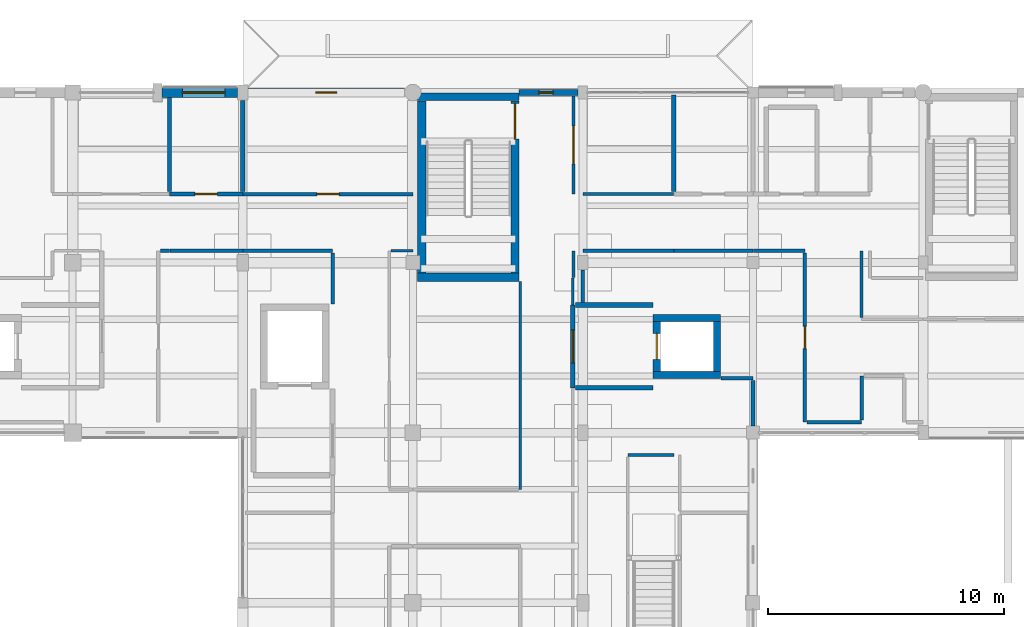
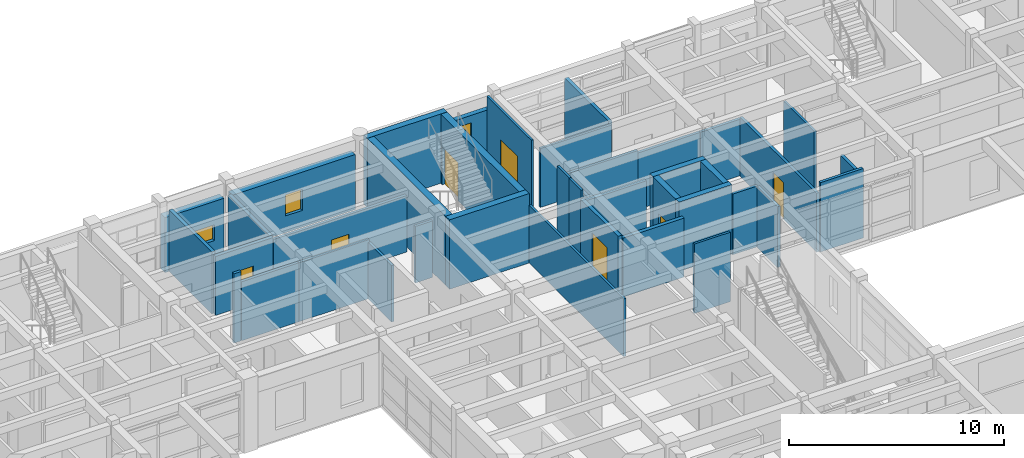
# One storey, part 88 of 110: 40 walls, 7 doors, 3 windows, 10 openings.
"""IFC4 building model written with IfcOpenShell, lengths in metres."""

from ifc_helpers import new_model, si_unit, direction, frame, frame_2d, origin, place, context, subcontext, project, spatial, rectangle, extrude, material, layer, layer_set, type_object, element, fill, save


model = new_model("IFC4")

# Units and contexts
model_context = context("Model", 3, precision=1e-05, world=origin(), true_north=direction((0.0, 1.0)))
body_context = subcontext(model_context, "Body", "Model", "MODEL_VIEW")
ifc_project = project(units=[si_unit("LENGTHUNIT", "METRE"), si_unit("AREAUNIT", "SQUARE_METRE"), si_unit("VOLUMEUNIT", "CUBIC_METRE"), si_unit("PLANEANGLEUNIT", "RADIAN"), si_unit("MASSUNIT", "GRAM", prefix="KILO")], contexts=[model_context])

# Site, building, storey
site_placement = place(None, origin())
site = spatial("IfcSite", under=ifc_project, at=site_placement, CompositionType="ELEMENT")
building_placement = place(site_placement, origin())
building = spatial("IfcBuilding", under=site, at=building_placement, Name="Steenspoor Specialist Clinic", CompositionType="ELEMENT")
storey_placement = place(building_placement, frame((0.0, 0.0, 4.800048828125)))
storey = spatial("IfcBuildingStorey", under=building, at=storey_placement, Name="L01", CompositionType="ELEMENT", Elevation=4.800048828125)

# Wall, opening, window
ifc_material_1 = material(Name="Extruded clay brick masonry", Category="masonry")
ifc_layer_1 = layer(ifc_material_1, 0.3798828125)
ifc_layer_set_1 = layer_set([ifc_layer_1], Name="Extruded clay brick masonry")
wall_type_1 = type_object("IfcWallType", Name="W-BRICK-380", PredefinedType="USERDEFINED", material=ifc_layer_set_1)
wall_1_placement = place(storey_placement, frame((74.22509765625, 108.35009765625, 0.0), z_axis=(0.0, 0.0, 1.0), x_axis=(1.0, 0.0, 0.0)))
wall_1 = element("IfcWall", 1, at=wall_1_placement, inside=storey, type_object=wall_type_1, Name="Exterior Brick Wall EW-V4-L01-0121", ObjectType="CAVITY VENEER", PredefinedType="USERDEFINED", context=body_context, shape_type="SweptSolid", body=[
    extrude(rectangle(XDim=6.625, YDim=0.3798828125, at=frame_2d((3.3125, 0.0))), origin(), (0.0, 0.0, 1.0), 3.1298828125),
])
opening_1_placement = place(wall_1_placement, frame((2.862548828125, 0.0, 0.949951171875)))
opening_1 = element("IfcOpeningElement", 2, at=opening_1_placement, cuts=wall_1, Name="Opening WN-21", PredefinedType="OPENING", context=body_context, shape_type="SweptSolid", body=[
    extrude(rectangle(XDim=0.89990234375, YDim=1.199951171875, at=frame_2d((0.449951171875, 0.60009765625))), frame((0.0, 0.199951171875, 0.0), z_axis=(0.0, -1.0, 0.0), x_axis=(1.0, 0.0, 0.0)), (0.0, 0.0, 1.0), 0.39990234375),
])
ifc_material_2 = material(Name="Thermally broken aluminium and low-emissivity glass", Category="aluminium")
window_type_1 = type_object("IfcWindowType", Name="WN-EXT-090X120", PartitioningType="SINGLE_PANEL", PredefinedType="WINDOW", material=ifc_material_2)
window_1_placement = place(opening_1_placement, origin())
window_1 = element("IfcWindow", 3, at=window_1_placement, inside=storey, type_object=window_type_1, Name="Window 0143", OverallHeight=1.199951171875, OverallWidth=0.89990234375, PartitioningType="SINGLE_PANEL", PredefinedType="WINDOW", context=body_context, shape_type="SweptSolid", body=[
    extrude(rectangle(XDim=0.89990234375, YDim=1.199951171875, at=frame_2d((0.449951171875, 0.60009765625))), frame((0.0, 0.030029296875, 0.0), z_axis=(0.0, -1.0, 0.0), x_axis=(1.0, 0.0, 0.0)), (0.0, 0.0, 1.0), 0.06005859375),
])
fill(opening_1, window_1)

ifc_layer_2 = layer(ifc_material_1, 0.409912109375)
ifc_layer_set_2 = layer_set([ifc_layer_2], Name="Extruded clay brick masonry")
wall_type_2 = type_object("IfcWallType", Name="W-BRICK-410", PredefinedType="USERDEFINED", material=ifc_layer_set_2)
wall_2_placement = place(storey_placement, frame((70.590087890625, 108.35009765625, 0.0), z_axis=(0.0, 0.0, 1.0), x_axis=(1.0, 0.0, 0.0)))
wall_2 = element("IfcWall", 4, at=wall_2_placement, inside=storey, type_object=wall_type_2, Name="Exterior Brick Wall EW-V4-L01-0120", ObjectType="CAVITY VENEER", PredefinedType="USERDEFINED", context=body_context, shape_type="SweptSolid", body=[
    extrude(rectangle(XDim=3.184814453125, YDim=0.409912109375, at=frame_2d((1.59228515625, 0.0))), origin(), (0.0, 0.0, 1.0), 3.1298828125),
])
opening_2_placement = place(wall_2_placement, frame((0.857421875, 0.0, 0.89990234375)))
opening_2 = element("IfcOpeningElement", 5, at=opening_2_placement, cuts=wall_2, Name="Opening WN-22", PredefinedType="OPENING", context=body_context, shape_type="SweptSolid", body=[
    extrude(rectangle(XDim=1.800048828125, YDim=0.89990234375, at=frame_2d((0.89990234375, 0.449951171875))), frame((0.0, 0.21484375, 0.0), z_axis=(0.0, -1.0, 0.0), x_axis=(1.0, 0.0, 0.0)), (0.0, 0.0, 1.0), 0.429931640625),
])
window_type_2 = type_object("IfcWindowType", Name="WN-EXT-180X090", PartitioningType="SINGLE_PANEL", PredefinedType="WINDOW", material=ifc_material_2)
window_2_placement = place(opening_2_placement, origin())
window_2 = element("IfcWindow", 6, at=window_2_placement, inside=storey, type_object=window_type_2, Name="Window 0142", OverallHeight=0.89990234375, OverallWidth=1.800048828125, PartitioningType="SINGLE_PANEL", PredefinedType="WINDOW", context=body_context, shape_type="SweptSolid", body=[
    extrude(rectangle(XDim=1.800048828125, YDim=0.89990234375, at=frame_2d((0.89990234375, 0.449951171875))), frame((0.0, 0.030029296875, 0.0), z_axis=(0.0, -1.0, 0.0), x_axis=(1.0, 0.0, 0.0)), (0.0, 0.0, 1.0), 0.06005859375),
])
fill(opening_2, window_2)

# Walls
ifc_material_3 = material(Name="Gypsum acoustic clinical partition", Category="gypsum")
ifc_layer_3 = layer(ifc_material_3, 0.14990234375)
ifc_layer_set_3 = layer_set([ifc_layer_3], Name="Gypsum acoustic clinical partition")
wall_type_3 = type_object("IfcWallType", Name="W-CLIN-150", PredefinedType="PARTITIONING", material=ifc_layer_set_3)
wall_3_placement = place(storey_placement, frame((70.52001953125, 101.64990234375, 0.0), z_axis=(0.0, 0.0, 1.0), x_axis=(1.0, 0.0, 0.0)))
element("IfcWall", 7, at=wall_3_placement, inside=storey, type_object=wall_type_3, Name="Interior Partition IW-V4-L01-0906", PredefinedType="PARTITIONING", context=body_context, shape_type="SweptSolid", body=[
    extrude(rectangle(XDim=0.3798828125, YDim=0.14990234375, at=frame_2d((0.18994140625, 0.0))), origin(), (0.0, 0.0, 1.0), 3.949951171875),
])
wall_4_placement = place(storey_placement, frame((70.9150390625, 101.64990234375, 0.0), z_axis=(0.0, 0.0, 1.0), x_axis=(1.0, 0.0, 0.0)))
element("IfcWall", 8, at=wall_4_placement, inside=storey, type_object=wall_type_3, Name="Interior Partition IW-V4-L01-0907", PredefinedType="PARTITIONING", context=body_context, shape_type="SweptSolid", body=[
    extrude(rectangle(XDim=3.0849609375, YDim=0.14990234375, at=frame_2d((1.54248046875, 0.0))), origin(), (0.0, 0.0, 1.0), 3.35498046875),
])
wall_5_placement = place(storey_placement, frame((74.014892578125, 101.64990234375, 0.0), z_axis=(0.0, 0.0, 1.0), x_axis=(1.0, 0.0, 0.0)))
element("IfcWall", 9, at=wall_5_placement, inside=storey, type_object=wall_type_3, Name="Interior Partition IW-V4-L01-0908", PredefinedType="PARTITIONING", context=body_context, shape_type="SweptSolid", body=[
    extrude(rectangle(XDim=3.78515625, YDim=0.14990234375, at=frame_2d((1.892578125, 0.0))), origin(), (0.0, 0.0, 1.0), 3.35498046875),
])
wall_6_placement = place(storey_placement, frame((77.800048828125, 99.39990234375, 0.0), z_axis=(0.0, 0.0, 1.0), x_axis=(0.0, 1.0, 0.0)))
element("IfcWall", 10, at=wall_6_placement, inside=storey, type_object=wall_type_3, Name="Interior Partition IW-V4-L01-0909", PredefinedType="PARTITIONING", context=body_context, shape_type="SweptSolid", body=[
    extrude(rectangle(XDim=2.16015625, YDim=0.14990234375, at=frame_2d((1.080078125, 0.0))), origin(), (0.0, 0.0, 1.0), 3.21484375),
])
wall_7_placement = place(storey_placement, frame((88.39990234375, 101.64990234375, 0.0), z_axis=(0.0, 0.0, 1.0), x_axis=(1.0, 0.0, 0.0)))
element("IfcWall", 11, at=wall_7_placement, inside=storey, type_object=wall_type_3, Name="Interior Partition IW-V4-L01-0911", PredefinedType="PARTITIONING", context=body_context, shape_type="SweptSolid", body=[
    extrude(rectangle(XDim=3.85009765625, YDim=0.14990234375, at=frame_2d((1.925048828125, 0.0))), origin(), (0.0, 0.0, 1.0), 3.35498046875),
])
wall_8_placement = place(storey_placement, frame((92.264892578125, 101.64990234375, 0.0), z_axis=(0.0, 0.0, 1.0), x_axis=(1.0, 0.0, 0.0)))
element("IfcWall", 12, at=wall_8_placement, inside=storey, type_object=wall_type_3, Name="Interior Partition IW-V4-L01-0912", PredefinedType="PARTITIONING", context=body_context, shape_type="SweptSolid", body=[
    extrude(rectangle(XDim=3.335205078125, YDim=0.14990234375, at=frame_2d((1.66748046875, 0.0))), origin(), (0.0, 0.0, 1.0), 3.21484375),
])
wall_9_placement = place(storey_placement, frame((95.614990234375, 101.64990234375, 0.0), z_axis=(0.0, 0.0, 1.0), x_axis=(1.0, 0.0, 0.0)))
element("IfcWall", 13, at=wall_9_placement, inside=storey, type_object=wall_type_3, Name="Interior Partition IW-V4-L01-0913", PredefinedType="PARTITIONING", context=body_context, shape_type="SweptSolid", body=[
    extrude(rectangle(XDim=2.18505859375, YDim=0.14990234375, at=frame_2d((1.092529296875, 0.0))), origin(), (0.0, 0.0, 1.0), 3.21484375),
])

# Wall, opening, door
wall_10_placement = place(storey_placement, frame((97.800048828125, 94.39990234375, 0.0), z_axis=(0.0, 0.0, 1.0), x_axis=(0.0, 1.0, 0.0)))
wall_10 = element("IfcWall", 14, at=wall_10_placement, inside=storey, type_object=wall_type_3, Name="Interior Partition IW-V4-L01-0914", PredefinedType="PARTITIONING", context=body_context, shape_type="SweptSolid", body=[
    extrude(rectangle(XDim=7.16015625, YDim=0.14990234375, at=frame_2d((3.580078125, 0.0))), origin(), (0.0, 0.0, 1.0), 3.35498046875),
])
opening_3_placement = place(wall_10_placement, frame((3.10498046875, 0.0, 0.0)))
opening_3 = element("IfcOpeningElement", 15, at=opening_3_placement, cuts=wall_10, Name="Opening D0216", PredefinedType="OPENING", context=body_context, shape_type="SweptSolid", body=[
    extrude(rectangle(XDim=0.949951171875, YDim=2.10009765625, at=frame_2d((0.47509765625, 1.050048828125))), frame((0.0, 0.0849609375, 0.0), z_axis=(0.0, -1.0, 0.0), x_axis=(1.0, 0.0, 0.0)), (0.0, 0.0, 1.0), 0.169921875),
])
ifc_material_4 = material(Name="Moisture-resistant HPL sanitary door", Category="wood")
door_type_1 = type_object("IfcDoorType", Name="DT-WC-095X210", OperationType="NOTDEFINED", PredefinedType="DOOR", material=ifc_material_4)
door_1_placement = place(opening_3_placement, origin())
door_1 = element("IfcDoor", 16, at=door_1_placement, inside=storey, type_object=door_type_1, Name="Clinical Door D0216", OperationType="SINGLE_SWING_LEFT", OverallHeight=2.10009765625, OverallWidth=0.949951171875, PredefinedType="DOOR", context=body_context, shape_type="SweptSolid", body=[
    extrude(rectangle(XDim=0.949951171875, YDim=2.10009765625, at=frame_2d((0.47509765625, 1.050048828125))), frame((0.0, 0.02490234375, 0.0), z_axis=(0.0, -1.0, 0.0), x_axis=(1.0, 0.0, 0.0)), (0.0, 0.0, 1.0), 0.050048828125),
])
fill(opening_3, door_1)

# Walls
wall_11_placement = place(storey_placement, frame((97.889892578125, 94.39990234375, 0.0), z_axis=(0.0, 0.0, 1.0), x_axis=(1.0, 0.0, 0.0)))
element("IfcWall", 17, at=wall_11_placement, inside=storey, type_object=wall_type_3, Name="Interior Partition IW-V4-L01-0915", PredefinedType="PARTITIONING", context=body_context, shape_type="SweptSolid", body=[
    extrude(rectangle(XDim=2.31005859375, YDim=0.14990234375, at=frame_2d((1.155029296875, 0.0))), origin(), (0.0, 0.0, 1.0), 3.949951171875),
])
wall_12_placement = place(storey_placement, frame((100.199951171875, 94.489990234375, 0.0), z_axis=(0.0, 0.0, 1.0), x_axis=(0.0, 1.0, 0.0)))
element("IfcWall", 18, at=wall_12_placement, inside=storey, type_object=wall_type_3, Name="Interior Partition IW-V4-L01-0916", PredefinedType="PARTITIONING", context=body_context, shape_type="SweptSolid", body=[
    extrude(rectangle(XDim=1.860107421875, YDim=0.14990234375, at=frame_2d((0.93017578125, 0.0))), origin(), (0.0, 0.0, 1.0), 3.514892578125),
])

# Wall, opening, door
wall_13_placement = place(storey_placement, frame((74.014892578125, 104.050048828125, 0.0), z_axis=(0.0, 0.0, 1.0), x_axis=(1.0, 0.0, 0.0)))
wall_13 = element("IfcWall", 19, at=wall_13_placement, inside=storey, type_object=wall_type_3, Name="Interior Partition IW-V4-L01-0923", PredefinedType="PARTITIONING", context=body_context, shape_type="SweptSolid", body=[
    extrude(rectangle(XDim=7.18505859375, YDim=0.14990234375, at=frame_2d((3.592529296875, 0.0))), origin(), (0.0, 0.0, 1.0), 3.21484375),
])
opening_4_placement = place(wall_13_placement, frame((3.117431640625, 0.0, 0.0)))
opening_4 = element("IfcOpeningElement", 20, at=opening_4_placement, cuts=wall_13, Name="Opening D0222", PredefinedType="OPENING", context=body_context, shape_type="SweptSolid", body=[
    extrude(rectangle(XDim=0.949951171875, YDim=2.10009765625, at=frame_2d((0.47509765625, 1.050048828125))), frame((0.0, 0.0849609375, 0.0), z_axis=(0.0, -1.0, 0.0), x_axis=(1.0, 0.0, 0.0)), (0.0, 0.0, 1.0), 0.169921875),
])
door_2_placement = place(opening_4_placement, origin())
door_2 = element("IfcDoor", 21, at=door_2_placement, inside=storey, type_object=door_type_1, Name="Clinical Door D0222", OperationType="SINGLE_SWING_LEFT", OverallHeight=2.10009765625, OverallWidth=0.949951171875, PredefinedType="DOOR", context=body_context, shape_type="SweptSolid", body=[
    extrude(rectangle(XDim=0.949951171875, YDim=2.10009765625, at=frame_2d((0.47509765625, 1.050048828125))), frame((0.0, 0.02490234375, 0.0), z_axis=(0.0, -1.0, 0.0), x_axis=(1.0, 0.0, 0.0)), (0.0, 0.0, 1.0), 0.050048828125),
])
fill(opening_4, door_2)

# Walls
wall_14_placement = place(storey_placement, frame((88.39990234375, 99.465087890625, 0.0), z_axis=(0.0, 0.0, 1.0), x_axis=(0.0, 1.0, 0.0)))
element("IfcWall", 22, at=wall_14_placement, inside=storey, type_object=wall_type_3, Name="Interior Partition IW-V4-L01-1195", PredefinedType="PARTITIONING", context=body_context, shape_type="SweptSolid", body=[
    extrude(rectangle(XDim=1.369873046875, YDim=0.14990234375, at=frame_2d((0.68505859375, 0.0))), origin(), (0.0, 0.0, 1.0), 3.35498046875),
])
wall_15_placement = place(storey_placement, frame((94.239990234375, 96.25, 0.0), z_axis=(0.0, 0.0, 1.0), x_axis=(1.0, 0.0, 0.0)))
element("IfcWall", 23, at=wall_15_placement, inside=storey, type_object=wall_type_3, Name="Interior Partition IW-V4-L01-1196", PredefinedType="PARTITIONING", context=body_context, shape_type="SweptSolid", body=[
    extrude(rectangle(XDim=1.360107421875, YDim=0.14990234375, at=frame_2d((0.68017578125, 0.0))), origin(), (0.0, 0.0, 1.0), 3.454833984375),
])
wall_16_placement = place(storey_placement, frame((95.60009765625, 94.239990234375, 0.0), z_axis=(0.0, 0.0, 1.0), x_axis=(0.0, 1.0, 0.0)))
element("IfcWall", 24, at=wall_16_placement, inside=storey, type_object=wall_type_3, Name="Interior Partition IW-V4-L01-1197", PredefinedType="PARTITIONING", context=body_context, shape_type="SweptSolid", body=[
    extrude(rectangle(XDim=1.919921875, YDim=0.14990234375, at=frame_2d((0.9599609375, 0.0))), origin(), (0.0, 0.0, 1.0), 3.454833984375),
])
ifc_material_5 = material(Name="Concrete C40/50", Category="concrete")
ifc_layer_4 = layer(ifc_material_5, 0.330078125)
ifc_layer_set_4 = layer_set([ifc_layer_4], Name="Concrete C40/50")
wall_type_4 = type_object("IfcWallType", Name="W-ESW-330", PredefinedType="SHEAR", material=ifc_layer_set_4)
wall_17_placement = place(storey_placement, frame((81.39990234375, 108.175048828125, 0.0), z_axis=(0.0, 0.0, 1.0), x_axis=(1.0, 0.0, 0.0)))
element("IfcWall", 25, at=wall_17_placement, inside=storey, type_object=wall_type_4, Name="Core Shear Wall SW-ST-V4C-L01-N", PredefinedType="SHEAR", context=body_context, shape_type="SweptSolid", body=[
    extrude(rectangle(XDim=4.300048828125, YDim=0.330078125, at=frame_2d((2.14990234375, 0.0))), origin(), (0.0, 0.0, 1.0), 3.949951171875),
])
ifc_material_6 = material(Name="Gypsum studio partition board", Category="gypsum")
ifc_layer_5 = layer(ifc_material_6, 0.1201171875)
ifc_layer_set_5 = layer_set([ifc_layer_5], Name="Gypsum studio partition board")
wall_type_5 = type_object("IfcWallType", Name="W-PART-120", PredefinedType="PARTITIONING", material=ifc_layer_set_5)
for number, where, z_axis, x_axis, name in (
    (26, (87.969970703125, 99.364990234375, 0.0), (0.0, 0.0, 1.0), (0.0, 1.0, 0.0), "Interior Partition IW-V4-L01-0994"),
    (27, (88.0, 100.514892578125, 0.0), (0.0, 0.0, 1.0), (0.0, 1.0, 0.0), "Interior Partition IW-V4-L01-0995"),
):
    element("IfcWall", number, at=place(storey_placement, frame(where, z_axis=z_axis, x_axis=x_axis)), inside=storey, type_object=wall_type_5, Name=name, PredefinedType="PARTITIONING", context=body_context, shape_type="SweptSolid", body=[
        extrude(rectangle(XDim=1.135009765625, YDim=0.1201171875, at=frame_2d((0.5673828125, 0.0))), origin(), (0.0, 0.0, 1.0), 3.949951171875),
    ])
wall_18_placement = place(storey_placement, frame((85.75, 91.550048828125, 0.0), z_axis=(0.0, 0.0, 1.0), x_axis=(0.0, 1.0, 0.0)))
element("IfcWall", 28, at=wall_18_placement, inside=storey, type_object=wall_type_5, Name="Interior Partition IW-V4-L01-1000", PredefinedType="PARTITIONING", context=body_context, shape_type="SweptSolid", body=[
    extrude(rectangle(XDim=8.800048828125, YDim=0.1201171875, at=frame_2d((4.39990234375, 0.0))), origin(), (0.0, 0.0, 1.0), 3.284912109375),
])
wall_19_placement = place(storey_placement, frame((80.27490234375, 101.64990234375, 0.0), z_axis=(0.0, 0.0, 1.0), x_axis=(1.0, 0.0, 0.0)))
element("IfcWall", 29, at=wall_19_placement, inside=storey, type_object=wall_type_5, Name="Interior Partition IW-V4-L01-1004", PredefinedType="PARTITIONING", context=body_context, shape_type="SweptSolid", body=[
    extrude(rectangle(XDim=0.925048828125, YDim=0.1201171875, at=frame_2d((0.46240234375, 0.0))), origin(), (0.0, 0.0, 1.0), 3.21484375),
])
wall_20_placement = place(storey_placement, frame((100.199951171875, 98.824951171875, 0.0), z_axis=(0.0, 0.0, 1.0), x_axis=(0.0, 1.0, 0.0)))
element("IfcWall", 30, at=wall_20_placement, inside=storey, type_object=wall_type_5, Name="Interior Partition IW-V4-L01-1017", PredefinedType="PARTITIONING", context=body_context, shape_type="SweptSolid", body=[
    extrude(rectangle(XDim=2.824951171875, YDim=0.1201171875, at=frame_2d((1.41259765625, 0.0))), origin(), (0.0, 0.0, 1.0), 3.35498046875),
])

# Wall, opening, door
wall_21_placement = place(storey_placement, frame((88.0, 104.050048828125, 0.0), z_axis=(0.0, 0.0, 1.0), x_axis=(0.0, 1.0, 0.0)))
wall_21 = element("IfcWall", 31, at=wall_21_placement, inside=storey, type_object=wall_type_5, Name="Interior Partition IW-V4-L01-1018", PredefinedType="PARTITIONING", context=body_context, shape_type="SweptSolid", body=[
    extrude(rectangle(XDim=4.14990234375, YDim=0.1201171875, at=frame_2d((2.074951171875, 0.0))), origin(), (0.0, 0.0, 1.0), 3.949951171875),
])
opening_5_placement = place(wall_21_placement, frame((1.27490234375, 0.0, 0.0)))
opening_5 = element("IfcOpeningElement", 32, at=opening_5_placement, cuts=wall_21, Name="Opening D0223", PredefinedType="OPENING", context=body_context, shape_type="SweptSolid", body=[
    extrude(rectangle(XDim=1.60009765625, YDim=2.25, at=frame_2d((0.800048828125, 1.125))), frame((0.0, 0.070068359375, 0.0), z_axis=(0.0, -1.0, 0.0), x_axis=(1.0, 0.0, 0.0)), (0.0, 0.0, 1.0), 0.14013671875),
])
ifc_material_7 = material(Name="Hygienic HPL clinical timber door", Category="wood")
door_type_2 = type_object("IfcDoorType", Name="DT-PROC-160X225", OperationType="NOTDEFINED", PredefinedType="DOOR", material=ifc_material_7)
door_3_placement = place(opening_5_placement, origin())
door_3 = element("IfcDoor", 33, at=door_3_placement, inside=storey, type_object=door_type_2, Name="Clinical Door D0223", OperationType="SINGLE_SWING_RIGHT", OverallHeight=2.25, OverallWidth=1.60009765625, PredefinedType="DOOR", context=body_context, shape_type="SweptSolid", body=[
    extrude(rectangle(XDim=1.60009765625, YDim=2.25, at=frame_2d((0.800048828125, 1.125))), frame((0.0, 0.02490234375, 0.0), z_axis=(0.0, -1.0, 0.0), x_axis=(1.0, 0.0, 0.0)), (0.0, 0.0, 1.0), 0.050048828125),
])
fill(opening_5, door_3)

# Walls
wall_22_placement = place(storey_placement, frame((88.39990234375, 104.050048828125, 0.0), z_axis=(0.0, 0.0, 1.0), x_axis=(1.0, 0.0, 0.0)))
element("IfcWall", 34, at=wall_22_placement, inside=storey, type_object=wall_type_5, Name="Interior Partition IW-V4-L01-1019", PredefinedType="PARTITIONING", context=body_context, shape_type="SweptSolid", body=[
    extrude(rectangle(XDim=3.835205078125, YDim=0.1201171875, at=frame_2d((1.91748046875, 0.0))), origin(), (0.0, 0.0, 1.0), 3.35498046875),
])
wall_23_placement = place(storey_placement, frame((90.300048828125, 93.0, 0.0), z_axis=(0.0, 0.0, 1.0), x_axis=(1.0, 0.0, 0.0)))
element("IfcWall", 35, at=wall_23_placement, inside=storey, type_object=wall_type_5, Name="Interior Partition IW-V4-L01-1229", PredefinedType="PARTITIONING", context=body_context, shape_type="SweptSolid", body=[
    extrude(rectangle(XDim=1.949951171875, YDim=0.1201171875, at=frame_2d((0.97509765625, 0.0))), origin(), (0.0, 0.0, 1.0), 3.949951171875),
])

# Wall, opening, door
ifc_material_8 = material(Name="Moisture-resistant gypsum plumbing wall", Category="gypsum")
ifc_layer_6 = layer(ifc_material_8, 0.179931640625)
ifc_layer_set_6 = layer_set([ifc_layer_6], Name="Moisture-resistant gypsum plumbing wall")
wall_type_6 = type_object("IfcWallType", Name="W-PLUMB-180", PredefinedType="PLUMBINGWALL", material=ifc_layer_set_6)
wall_24_placement = place(storey_placement, frame((70.89990234375, 104.050048828125, 0.0), z_axis=(0.0, 0.0, 1.0), x_axis=(1.0, 0.0, 0.0)))
wall_24 = element("IfcWall", 36, at=wall_24_placement, inside=storey, type_object=wall_type_6, Name="Interior Partition IW-V4-L01-0769", PredefinedType="PLUMBINGWALL", context=body_context, shape_type="SweptSolid", body=[
    extrude(rectangle(XDim=3.10009765625, YDim=0.179931640625, at=frame_2d((1.550048828125, 0.0))), origin(), (0.0, 0.0, 1.0), 3.35498046875),
])
opening_6_placement = place(wall_24_placement, frame((1.074951171875, 0.0, 0.0)))
opening_6 = element("IfcOpeningElement", 37, at=opening_6_placement, cuts=wall_24, Name="Opening D0221", PredefinedType="OPENING", context=body_context, shape_type="SweptSolid", body=[
    extrude(rectangle(XDim=0.949951171875, YDim=2.10009765625, at=frame_2d((0.47509765625, 1.050048828125))), frame((0.0, 0.10009765625, 0.0), z_axis=(0.0, -1.0, 0.0), x_axis=(1.0, 0.0, 0.0)), (0.0, 0.0, 1.0), 0.199951171875),
])
door_4_placement = place(opening_6_placement, origin())
door_4 = element("IfcDoor", 38, at=door_4_placement, inside=storey, type_object=door_type_1, Name="Clinical Door D0221", OperationType="SINGLE_SWING_RIGHT", OverallHeight=2.10009765625, OverallWidth=0.949951171875, PredefinedType="DOOR", context=body_context, shape_type="SweptSolid", body=[
    extrude(rectangle(XDim=0.949951171875, YDim=2.10009765625, at=frame_2d((0.47509765625, 1.050048828125))), frame((0.0, 0.02490234375, 0.0), z_axis=(0.0, -1.0, 0.0), x_axis=(1.0, 0.0, 0.0)), (0.0, 0.0, 1.0), 0.050048828125),
])
fill(opening_6, door_4)

# Walls
wall_25_placement = place(storey_placement, frame((70.89990234375, 104.155029296875, 0.0), z_axis=(0.0, 0.0, 1.0), x_axis=(0.0, 1.0, 0.0)))
element("IfcWall", 39, at=wall_25_placement, inside=storey, type_object=wall_type_6, Name="Interior Partition IW-V4-L01-1099", PredefinedType="PLUMBINGWALL", context=body_context, shape_type="SweptSolid", body=[
    extrude(rectangle(XDim=3.974853515625, YDim=0.179931640625, at=frame_2d((1.9873046875, 0.0))), origin(), (0.0, 0.0, 1.0), 3.514892578125),
])
wall_26_placement = place(storey_placement, frame((74.0, 104.155029296875, 0.0), z_axis=(0.0, 0.0, 1.0), x_axis=(0.0, 1.0, 0.0)))
element("IfcWall", 40, at=wall_26_placement, inside=storey, type_object=wall_type_6, Name="Interior Partition IW-V4-L01-1100", PredefinedType="PLUMBINGWALL", context=body_context, shape_type="SweptSolid", body=[
    extrude(rectangle(XDim=3.85498046875, YDim=0.179931640625, at=frame_2d((1.927490234375, 0.0))), origin(), (0.0, 0.0, 1.0), 3.35498046875),
])
wall_27_placement = place(storey_placement, frame((92.25, 104.155029296875, 0.0), z_axis=(0.0, 0.0, 1.0), x_axis=(0.0, 1.0, 0.0)))
element("IfcWall", 41, at=wall_27_placement, inside=storey, type_object=wall_type_6, Name="Interior Partition IW-V4-L01-1101", PredefinedType="PLUMBINGWALL", context=body_context, shape_type="SweptSolid", body=[
    extrude(rectangle(XDim=4.090087890625, YDim=0.179931640625, at=frame_2d((2.044921875, 0.0))), origin(), (0.0, 0.0, 1.0), 3.474853515625),
])

# Wall, opening, window
ifc_layer_7 = layer(ifc_material_1, 0.260009765625)
ifc_layer_set_7 = layer_set([ifc_layer_7], Name="Extruded clay brick masonry")
wall_type_7 = type_object("IfcWallType", Name="W-SCREEN-260", PredefinedType="SOLIDWALL", material=ifc_layer_set_7)
wall_28_placement = place(storey_placement, frame((85.699951171875, 108.35009765625, 0.0), z_axis=(0.0, 0.0, 1.0), x_axis=(1.0, 0.0, 0.0)))
wall_28 = element("IfcWall", 42, at=wall_28_placement, inside=storey, type_object=wall_type_7, Name="Exterior Brick Wall EW-V4-L01-0122", PredefinedType="SOLIDWALL", context=body_context, shape_type="SweptSolid", body=[
    extrude(rectangle(XDim=2.5, YDim=0.260009765625, at=frame_2d((1.25, 0.0))), origin(), (0.0, 0.0, 1.0), 3.1298828125),
])
opening_7_placement = place(wall_28_placement, frame((0.840087890625, 0.0, 0.89990234375)))
opening_7 = element("IfcOpeningElement", 43, at=opening_7_placement, cuts=wall_28, Name="Opening WN-01", PredefinedType="OPENING", context=body_context, shape_type="SweptSolid", body=[
    extrude(rectangle(XDim=0.60009765625, YDim=1.800048828125, at=frame_2d((0.300048828125, 0.89990234375))), frame((0.0, 0.14013671875, 0.0), z_axis=(0.0, -1.0, 0.0), x_axis=(1.0, 0.0, 0.0)), (0.0, 0.0, 1.0), 0.280029296875),
])
window_type_3 = type_object("IfcWindowType", Name="WN-EXT-060X180", PartitioningType="SINGLE_PANEL", PredefinedType="WINDOW", material=ifc_material_2)
window_3_placement = place(opening_7_placement, origin())
window_3 = element("IfcWindow", 44, at=window_3_placement, inside=storey, type_object=window_type_3, Name="Window 0144", OverallHeight=1.800048828125, OverallWidth=0.60009765625, PartitioningType="SINGLE_PANEL", PredefinedType="WINDOW", context=body_context, shape_type="SweptSolid", body=[
    extrude(rectangle(XDim=0.60009765625, YDim=1.800048828125, at=frame_2d((0.300048828125, 0.89990234375))), frame((0.0, 0.030029296875, 0.0), z_axis=(0.0, -1.0, 0.0), x_axis=(1.0, 0.0, 0.0)), (0.0, 0.0, 1.0), 0.06005859375),
])
fill(opening_7, window_3)

# Wall, opening, door
ifc_material_9 = material(Name="Gypsum acoustic smoke barrier board", Category="gypsum")
ifc_layer_8 = layer(ifc_material_9, 0.199951171875)
ifc_layer_set_8 = layer_set([ifc_layer_8], Name="Gypsum acoustic smoke barrier board")
wall_type_8 = type_object("IfcWallType", Name="W-SMOKE-200", PredefinedType="PARTITIONING", material=ifc_layer_set_8)
wall_29_placement = place(storey_placement, frame((87.97509765625, 95.85009765625, 0.0), z_axis=(0.0, 0.0, 1.0), x_axis=(0.0, 1.0, 0.0)))
wall_29 = element("IfcWall", 45, at=wall_29_placement, inside=storey, type_object=wall_type_8, Name="Interior Partition IW-V4-L01-0673", PredefinedType="PARTITIONING", context=body_context, shape_type="SweptSolid", body=[
    extrude(rectangle(XDim=3.5, YDim=0.199951171875, at=frame_2d((1.75, 0.0))), origin(), (0.0, 0.0, 1.0), 3.474853515625),
])
opening_8_placement = place(wall_29_placement, frame((1.050048828125, 0.0, 0.0)))
opening_8 = element("IfcOpeningElement", 46, at=opening_8_placement, cuts=wall_29, Name="Opening D0189", PredefinedType="OPENING", context=body_context, shape_type="SweptSolid", body=[
    extrude(rectangle(XDim=1.39990234375, YDim=2.199951171875, at=frame_2d((0.699951171875, 1.10009765625))), frame((0.0, 0.10986328125, 0.0), z_axis=(0.0, -1.0, 0.0), x_axis=(1.0, 0.0, 0.0)), (0.0, 0.0, 1.0), 0.219970703125),
])
ifc_material_10 = material(Name="Fire-rated clinical laminate door", Category="steel")
door_type_3 = type_object("IfcDoorType", Name="DT-LAB-140X220", OperationType="NOTDEFINED", PredefinedType="DOOR", material=ifc_material_10)
door_5_placement = place(opening_8_placement, origin())
door_5 = element("IfcDoor", 47, at=door_5_placement, inside=storey, type_object=door_type_3, Name="Lift Lobby Fire Door D0189", OperationType="SINGLE_SWING_RIGHT", OverallHeight=2.199951171875, OverallWidth=1.39990234375, PredefinedType="DOOR", context=body_context, shape_type="SweptSolid", body=[
    extrude(rectangle(XDim=1.39990234375, YDim=2.199951171875, at=frame_2d((0.699951171875, 1.10009765625))), frame((0.0, 0.02490234375, 0.0), z_axis=(0.0, -1.0, 0.0), x_axis=(1.0, 0.0, 0.0)), (0.0, 0.0, 1.0), 0.050048828125),
])
fill(opening_8, door_5)

# Walls
for number, where, z_axis, x_axis, name in (
    (48, (88.090087890625, 99.35009765625, 0.0), (0.0, 0.0, 1.0), (1.0, 0.0, 0.0), "Interior Partition IW-V4-L01-0687"),
    (49, (88.090087890625, 95.85009765625, 0.0), (0.0, 0.0, 1.0), (1.0, 0.0, 0.0), "Interior Partition IW-V4-L01-0688"),
):
    element("IfcWall", number, at=place(storey_placement, frame(where, z_axis=z_axis, x_axis=x_axis)), inside=storey, type_object=wall_type_8, Name=name, PredefinedType="PARTITIONING", context=body_context, shape_type="SweptSolid", body=[
        extrude(rectangle(XDim=3.284912109375, YDim=0.199951171875, at=frame_2d((1.642578125, 0.0))), origin(), (0.0, 0.0, 1.0), 3.35498046875),
    ])
ifc_layer_9 = layer(ifc_material_5, 0.300048828125)
ifc_layer_set_9 = layer_set([ifc_layer_9], Name="Concrete C40/50")
wall_type_9 = type_object("IfcWallType", Name="W-SW-300", PredefinedType="SHEAR", material=ifc_layer_set_9)
for number, where, z_axis, x_axis, name in (
    (50, (91.375, 96.39990234375, 0.0), (0.0, 0.0, 1.0), (1.0, 0.0, 0.0), "Lift Shaft Shear Wall SW-EL-P1-L01-S"),
    (51, (91.375, 98.800048828125, 0.0), (0.0, 0.0, 1.0), (1.0, 0.0, 0.0), "Lift Shaft Shear Wall SW-EL-P1-L01-N"),
):
    element("IfcWall", number, at=place(storey_placement, frame(where, z_axis=z_axis, x_axis=x_axis)), inside=storey, type_object=wall_type_9, Name=name, PredefinedType="SHEAR", context=body_context, shape_type="SweptSolid", body=[
        extrude(rectangle(XDim=2.85009765625, YDim=0.300048828125, at=frame_2d((1.425048828125, 0.0))), origin(), (0.0, 0.0, 1.0), 3.949951171875),
    ])

# Wall, opening, door
wall_30_placement = place(storey_placement, frame((91.52490234375, 96.550048828125, 0.0), z_axis=(0.0, 0.0, 1.0), x_axis=(0.0, 1.0, 0.0)))
wall_30 = element("IfcWall", 52, at=wall_30_placement, inside=storey, type_object=wall_type_9, Name="Lift Shaft Shear Wall SW-EL-P1-L01-W", PredefinedType="SHEAR", context=body_context, shape_type="SweptSolid", body=[
    extrude(rectangle(XDim=2.099853515625, YDim=0.300048828125, at=frame_2d((1.0498046875, 0.0))), origin(), (0.0, 0.0, 1.0), 3.949951171875),
])
opening_9_placement = place(wall_30_placement, frame((0.5, 0.0, 0.0)))
opening_9 = element("IfcOpeningElement", 53, at=opening_9_placement, cuts=wall_30, Name="Opening LD12", PredefinedType="OPENING", context=body_context, shape_type="SweptSolid", body=[
    extrude(rectangle(XDim=1.10009765625, YDim=2.14990234375, at=frame_2d((0.550048828125, 1.074951171875))), frame((0.0, 0.16015625, 0.0), z_axis=(0.0, -1.0, 0.0), x_axis=(1.0, 0.0, 0.0)), (0.0, 0.0, 1.0), 0.320068359375),
])
ifc_material_11 = material(Name="Stainless steel lift landing door", Category="steel")
door_type_4 = type_object("IfcDoorType", Name="DT-LIFT-P-110", OperationType="NOTDEFINED", PredefinedType="DOOR", material=ifc_material_11)
door_6_placement = place(opening_9_placement, origin())
door_6 = element("IfcDoor", 54, at=door_6_placement, inside=storey, type_object=door_type_4, Name="Lift Landing Door LD12", OperationType="SLIDING_TO_LEFT", OverallHeight=2.14990234375, OverallWidth=1.10009765625, PredefinedType="DOOR", context=body_context, shape_type="SweptSolid", body=[
    extrude(rectangle(XDim=1.10009765625, YDim=2.14990234375, at=frame_2d((0.550048828125, 1.074951171875))), frame((0.0, 0.02490234375, 0.0), z_axis=(0.0, -1.0, 0.0), x_axis=(1.0, 0.0, 0.0)), (0.0, 0.0, 1.0), 0.050048828125),
])
fill(opening_9, door_6)

# Walls
wall_31_placement = place(storey_placement, frame((94.074951171875, 96.550048828125, 0.0), z_axis=(0.0, 0.0, 1.0), x_axis=(0.0, 1.0, 0.0)))
element("IfcWall", 55, at=wall_31_placement, inside=storey, type_object=wall_type_9, Name="Lift Shaft Shear Wall SW-EL-P1-L01-E", PredefinedType="SHEAR", context=body_context, shape_type="SweptSolid", body=[
    extrude(rectangle(XDim=2.099853515625, YDim=0.300048828125, at=frame_2d((1.0498046875, 0.0))), origin(), (0.0, 0.0, 1.0), 3.949951171875),
])
ifc_layer_10 = layer(ifc_material_5, 0.35009765625)
ifc_layer_set_10 = layer_set([ifc_layer_10], Name="Concrete C40/50")
wall_type_10 = type_object("IfcWallType", Name="W-SW-350", PredefinedType="SHEAR", material=ifc_layer_set_10)
wall_32_placement = place(storey_placement, frame((81.39990234375, 100.52490234375, 0.0), z_axis=(0.0, 0.0, 1.0), x_axis=(1.0, 0.0, 0.0)))
element("IfcWall", 56, at=wall_32_placement, inside=storey, type_object=wall_type_10, Name="Core Shear Wall SW-ST-V4C-L01-S", PredefinedType="SHEAR", context=body_context, shape_type="SweptSolid", body=[
    extrude(rectangle(XDim=4.300048828125, YDim=0.35009765625, at=frame_2d((2.14990234375, 0.0))), origin(), (0.0, 0.0, 1.0), 3.949951171875),
])
wall_33_placement = place(storey_placement, frame((81.574951171875, 100.699951171875, 0.0), z_axis=(0.0, 0.0, 1.0), x_axis=(0.0, 1.0, 0.0)))
element("IfcWall", 57, at=wall_33_placement, inside=storey, type_object=wall_type_10, Name="Core Shear Wall SW-ST-V4C-L01-W", PredefinedType="SHEAR", context=body_context, shape_type="SweptSolid", body=[
    extrude(rectangle(XDim=7.300048828125, YDim=0.35009765625, at=frame_2d((3.64990234375, 0.0))), origin(), (0.0, 0.0, 1.0), 3.949951171875),
])

# Wall, opening, door
wall_34_placement = place(storey_placement, frame((85.52490234375, 100.699951171875, 0.0), z_axis=(0.0, 0.0, 1.0), x_axis=(0.0, 1.0, 0.0)))
wall_34 = element("IfcWall", 58, at=wall_34_placement, inside=storey, type_object=wall_type_10, Name="Core Shear Wall SW-ST-V4C-L01-E", PredefinedType="SHEAR", context=body_context, shape_type="SweptSolid", body=[
    extrude(rectangle(XDim=7.300048828125, YDim=0.35009765625, at=frame_2d((3.64990234375, 0.0))), origin(), (0.0, 0.0, 1.0), 3.949951171875),
])
opening_10_placement = place(wall_34_placement, frame((5.679931640625, 0.0, 0.0)))
opening_10 = element("IfcOpeningElement", 59, at=opening_10_placement, cuts=wall_34, Name="Opening SD022", PredefinedType="OPENING", context=body_context, shape_type="SweptSolid", body=[
    extrude(rectangle(XDim=1.5, YDim=2.14990234375, at=frame_2d((0.75, 1.074951171875))), frame((0.0, 0.18505859375, 0.0), z_axis=(0.0, -1.0, 0.0), x_axis=(1.0, 0.0, 0.0)), (0.0, 0.0, 1.0), 0.3701171875),
])
ifc_material_12 = material(Name="Fire-rated steel acoustic door", Category="steel")
door_type_5 = type_object("IfcDoorType", Name="DT-STAIR-150X215", OperationType="NOTDEFINED", PredefinedType="DOOR", material=ifc_material_12)
door_7_placement = place(opening_10_placement, origin())
door_7 = element("IfcDoor", 60, at=door_7_placement, inside=storey, type_object=door_type_5, Name="Exit Stair Fire Door SD022", OperationType="SINGLE_SWING_LEFT", OverallHeight=2.14990234375, OverallWidth=1.5, PredefinedType="DOOR", context=body_context, shape_type="SweptSolid", body=[
    extrude(rectangle(XDim=1.5, YDim=2.14990234375, at=frame_2d((0.75, 1.074951171875))), frame((0.0, 0.02490234375, 0.0), z_axis=(0.0, -1.0, 0.0), x_axis=(1.0, 0.0, 0.0)), (0.0, 0.0, 1.0), 0.050048828125),
])
fill(opening_10, door_7)

save(model, "model.ifc")
